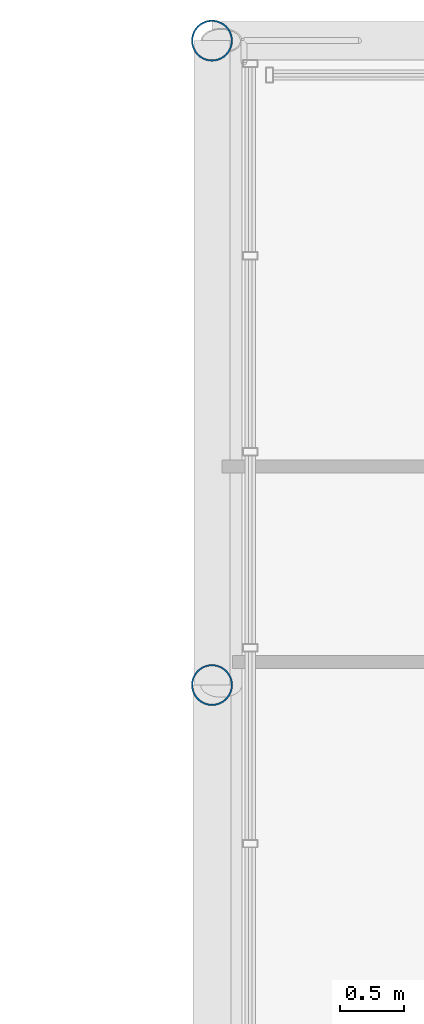
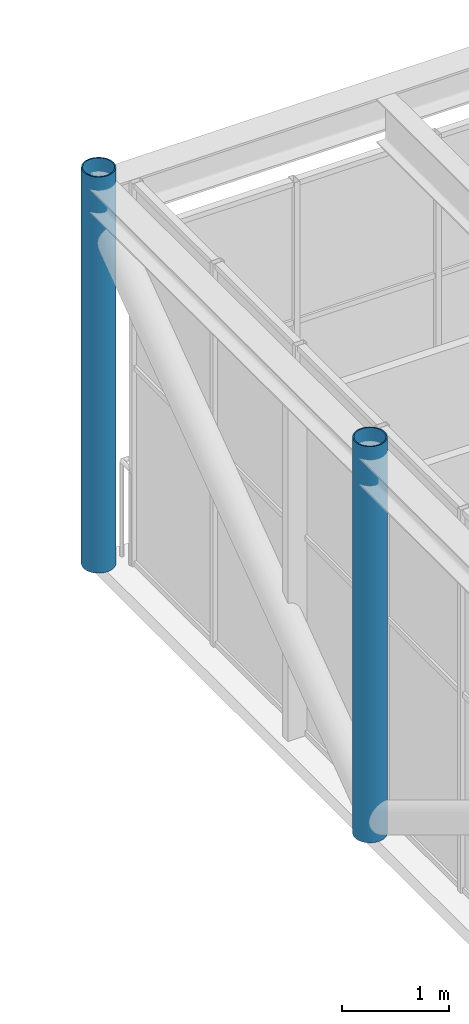
# One storey, part 3 of 70: 2 columns.
"""IFC4 building model written with IfcOpenShell, lengths in metres."""

from ifc_helpers import new_model, si_unit, direction, frame, origin, origin_2d, place, context, subcontext, project, spatial, hollow_circle, extrude, material, material_profile, profile_set, type_object, element, save


model = new_model("IFC4")

# Units and contexts
model_context = context("Model", 3, precision=1e-05, world=origin(), true_north=direction((0.0, 1.0)))
body_context = subcontext(model_context, "Body", "Model", "MODEL_VIEW")
ifc_project = project(units=[si_unit("LENGTHUNIT", "METRE"), si_unit("AREAUNIT", "SQUARE_METRE"), si_unit("VOLUMEUNIT", "CUBIC_METRE"), si_unit("PLANEANGLEUNIT", "RADIAN"), si_unit("MASSUNIT", "GRAM", prefix="KILO")], contexts=[model_context])

# Site, building, storey
site_placement = place(None, origin())
site = spatial("IfcSite", under=ifc_project, at=site_placement, CompositionType="ELEMENT")
building_placement = place(site_placement, origin())
building = spatial("IfcBuilding", under=site, at=building_placement, Name="Kallimachos Central Library", CompositionType="ELEMENT")
storey_placement = place(building_placement, frame((0.0, 0.0, 18.89990234375)))
storey = spatial("IfcBuildingStorey", under=building, at=storey_placement, Name="L04", CompositionType="ELEMENT", Elevation=18.89990234375)

# Columns
ifc_material = material(Name="Steel S355J2H", Category="steel")
ifc_material_profile = material_profile(ifc_material, hollow_circle(Radius=0.161865234375, WallThickness=0.012451171875, at=origin_2d()), Name="CHS 323.9x12.5")
ifc_profile_set = profile_set([ifc_material_profile], Name="Steel S355J2H")
column_type = type_object("IfcColumnType", Name="CHS 323.9x12.5 column", PredefinedType="COLUMN", material=ifc_profile_set)
for number, where, z_axis, x_axis, name in (
    (1, (65.5, 121.64990234375, 0.0), (0.0, 0.0, 1.0), (1.0, 0.0, 0.0), "V1-COL-L04-039"),
    (2, (65.5, 116.60009765625, 0.0), (0.0, 0.0, 1.0), (1.0, 0.0, 0.0), "V1-COL-L04-041"),
):
    element("IfcColumn", number, at=place(storey_placement, frame(where, z_axis=z_axis, x_axis=x_axis)), inside=storey, type_object=column_type, Name=name, PredefinedType="COLUMN", context=body_context, shape_type="SweptSolid", body=[
        extrude(hollow_circle(Radius=0.161865234375, WallThickness=0.012451171875, at=origin_2d()), origin(), (0.0, 0.0, 1.0), 4.5),
    ])

save(model, "model.ifc")
